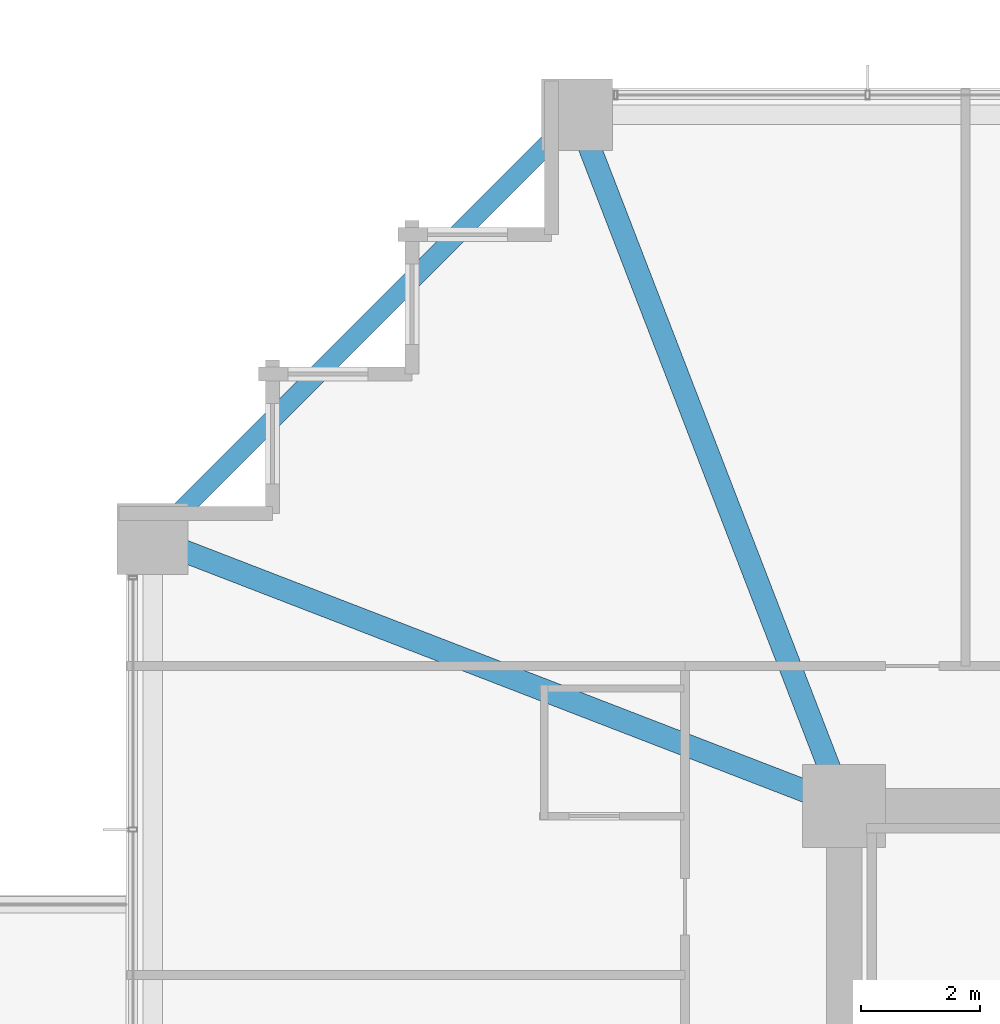
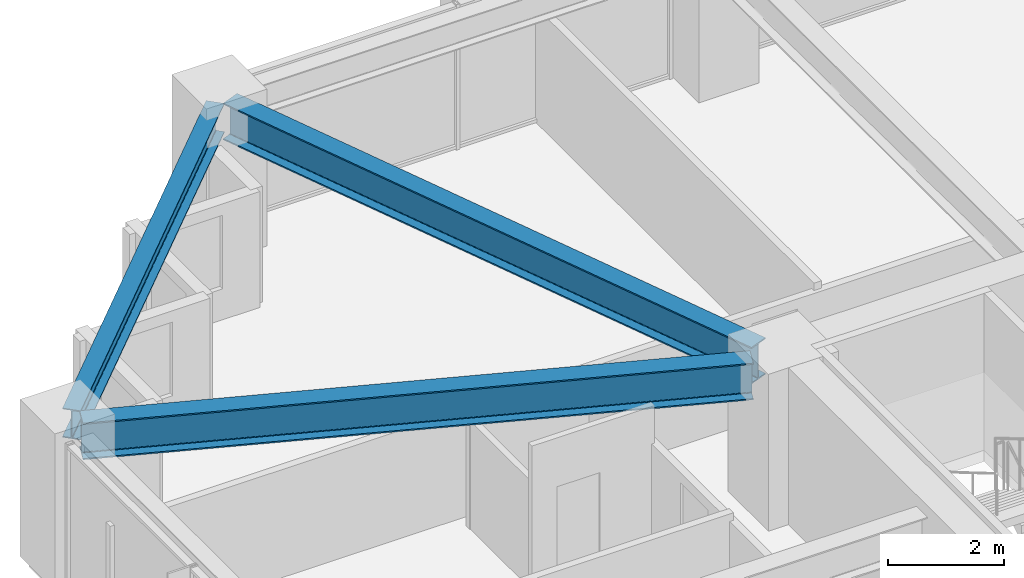
# One storey, part 18 of 36: 3 beams.
"""IFC4 building model written with IfcOpenShell, lengths in metres."""

from ifc_helpers import new_model, si_unit, direction, frame, origin, origin_2d, place, context, subcontext, project, spatial, i_section, extrude, material, material_profile, profile_set, type_object, element, save


model = new_model("IFC4")

# Units and contexts
model_context = context("Model", 3, precision=1e-05, world=origin(), true_north=direction((0.0, 1.0)))
body_context = subcontext(model_context, "Body", "Model", "MODEL_VIEW")
ifc_project = project(units=[si_unit("LENGTHUNIT", "METRE"), si_unit("AREAUNIT", "SQUARE_METRE"), si_unit("VOLUMEUNIT", "CUBIC_METRE"), si_unit("PLANEANGLEUNIT", "RADIAN"), si_unit("MASSUNIT", "GRAM", prefix="KILO")], contexts=[model_context])

# Site, building, storey
site_placement = place(None, origin())
site = spatial("IfcSite", under=ifc_project, at=site_placement, CompositionType="ELEMENT")
building_placement = place(site_placement, origin())
building = spatial("IfcBuilding", under=site, at=building_placement, Name="Kolvaren Belvedere", CompositionType="ELEMENT")
storey_placement = place(building_placement, frame((0.0, 0.0, 46.89990234375)))
storey = spatial("IfcBuildingStorey", under=building, at=storey_placement, Name="L13", CompositionType="ELEMENT", Elevation=46.89990234375)

# Beams
ifc_material_1 = material(Name="Structural steel ASTM A992 Grade 50", Category="steel")
ifc_material_profile_1 = material_profile(ifc_material_1, i_section(OverallWidth=0.381103515625, OverallDepth=0.77294921875, WebThickness=0.0166015625, FlangeThickness=0.027099609375, FilletRadius=0.02392578125, at=origin_2d()), Name="W30X173")
ifc_profile_set_1 = profile_set([ifc_material_profile_1], Name="Structural steel ASTM A992 Grade 50")
beam_type_1 = type_object("IfcBeamType", Name="BM-GIRD-W30X173", PredefinedType="BEAM", material=ifc_profile_set_1)
for number, where, z_axis, x_axis, name in (
    (1, (-10.09814453125, 10.4130859375, 2.673583984375), (-0.360318391835, 0.932829382313, 0.0), (-0.932829382313, -0.360318391835, 0.0), "L13 Corner Core-to-Perimeter Girder CC4-N1"),
    (2, (-10.4130859375, 10.09814453125, 2.673583984375), (-0.932829382313, 0.360318391835, 0.0), (-0.360318391835, -0.932829382313, 0.0), "L13 Corner Core-to-Perimeter Girder CC4-W4"),
):
    element("IfcBeam", number, at=place(storey_placement, frame(where, z_axis=z_axis, x_axis=x_axis)), inside=storey, type_object=beam_type_1, Name=name, PredefinedType="BEAM", context=body_context, shape_type="SweptSolid", body=[
        extrude(i_section(OverallWidth=0.381103515625, OverallDepth=0.77294921875, WebThickness=0.0166015625, FlangeThickness=0.027099609375, FilletRadius=0.02392578125, at=origin_2d()), origin(), (0.0, 0.0, 1.0), 11.698974609375),
    ])
ifc_material_2 = material(Name="Structural steel ASTM A992 Grade 50", Category="steel")
ifc_material_profile_2 = material_profile(ifc_material_2, i_section(OverallWidth=0.324951171875, OverallDepth=0.615966796875, WebThickness=0.013916015625, FlangeThickness=0.021484375, FilletRadius=0.02001953125, at=origin_2d()), Name="W24X117")
ifc_profile_set_2 = profile_set([ifc_material_profile_2], Name="Structural steel ASTM A992 Grade 50")
beam_type_2 = type_object("IfcBeamType", Name="BM-SPAN-W24X117", PredefinedType="SPANDREL", material=ifc_profile_set_2)
beam_placement = place(storey_placement, frame((-14.5908203125, 21.359130859375, 2.752197265625), z_axis=(-0.707106781187, -0.707106781187, 0.0), x_axis=(0.707106781187, -0.707106781187, 0.0)))
element("IfcBeam", 3, at=beam_placement, inside=storey, type_object=beam_type_2, Name="L13 Perimeter Spandrel N1-W4", PredefinedType="SPANDREL", context=body_context, shape_type="SweptSolid", body=[
    extrude(i_section(OverallWidth=0.324951171875, OverallDepth=0.615966796875, WebThickness=0.013916015625, FlangeThickness=0.021484375, FilletRadius=0.02001953125, at=origin_2d()), origin(), (0.0, 0.0, 1.0), 9.57177734375),
])

save(model, "model.ifc")
